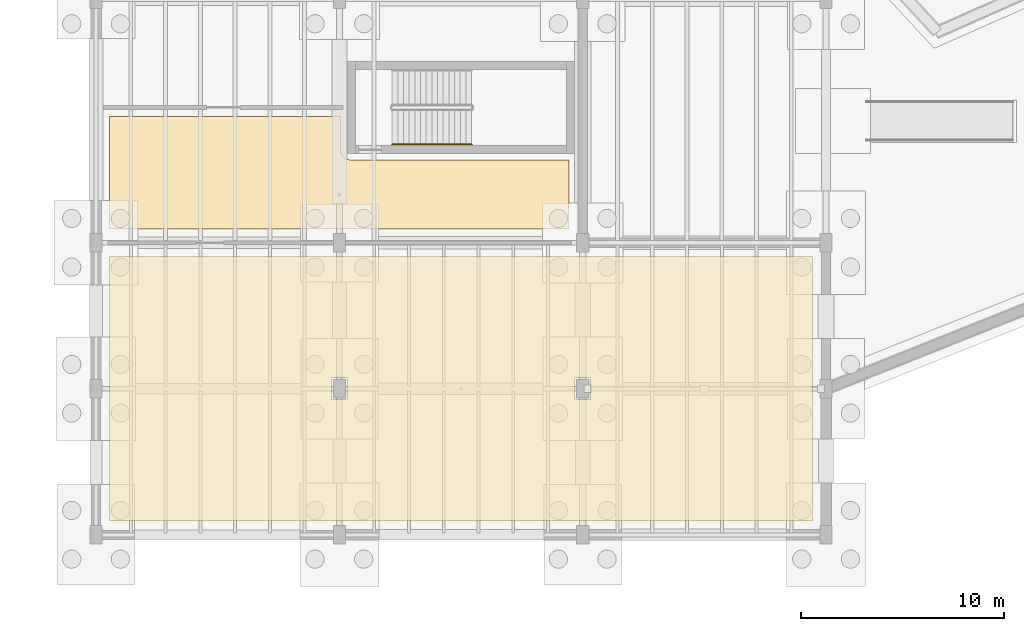
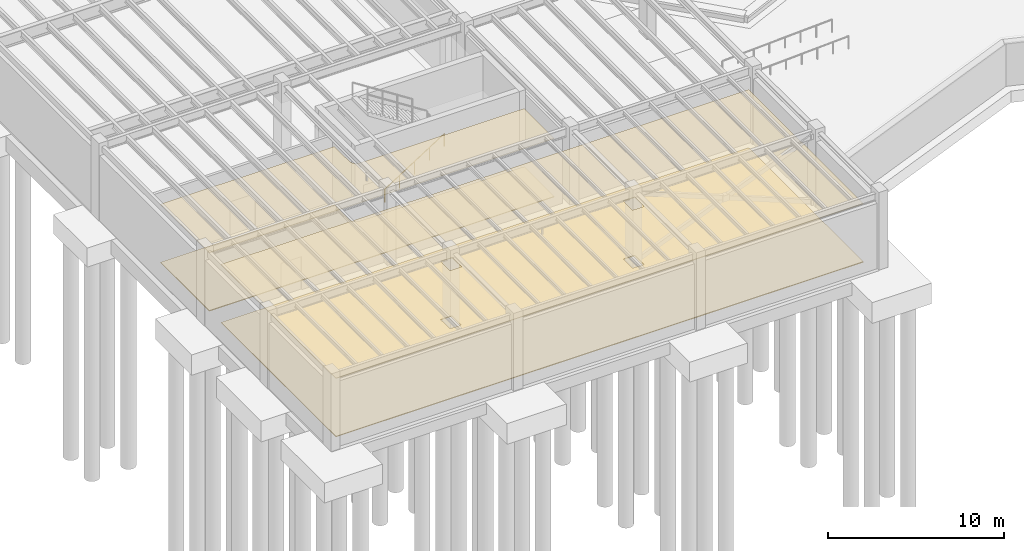
# One storey, part 51 of 67: 4 coverings, 1 railing.
"""IFC4 building model written with IfcOpenShell, lengths in metres."""

from ifc_helpers import new_model, si_unit, direction, frame, origin, origin_2d, place, context, subcontext, project, spatial, polyline, circle, outline, extrude, material, layer, layer_set, type_object, element, save


model = new_model("IFC4")

# Units and contexts
model_context = context("Model", 3, precision=1e-05, world=origin(), true_north=direction((0.0, 1.0)))
body_context = subcontext(model_context, "Body", "Model", "MODEL_VIEW")
ifc_project = project(units=[si_unit("LENGTHUNIT", "METRE"), si_unit("AREAUNIT", "SQUARE_METRE"), si_unit("VOLUMEUNIT", "CUBIC_METRE"), si_unit("PLANEANGLEUNIT", "RADIAN"), si_unit("MASSUNIT", "GRAM", prefix="KILO")], contexts=[model_context])

# Site, building, storey
site_placement = place(None, origin())
site = spatial("IfcSite", under=ifc_project, at=site_placement, CompositionType="ELEMENT")
building_placement = place(site_placement, origin())
building = spatial("IfcBuilding", under=site, at=building_placement, Name="Zlatogorsky Bluff Art Gallery", CompositionType="ELEMENT")
storey_placement = place(building_placement, frame((0.0, 0.0, -5.39990234375)))
storey = spatial("IfcBuildingStorey", under=building, at=storey_placement, Name="B1", CompositionType="ELEMENT", Elevation=-5.39990234375)

# Coverings
ifc_material_1 = material(Name="Perforated Gypsum Acoustic Board", Category="gypsum")
ifc_layer_1 = layer(ifc_material_1, 0.0400390625)
ifc_layer_set_1 = layer_set([ifc_layer_1], Name="Acoustic Gallery Ceiling CLG-01")
covering_type_1 = type_object("IfcCoveringType", Name="Acoustic Gallery Ceiling CLG-01", PredefinedType="CEILING", material=ifc_layer_set_1)
covering_1_placement = place(storey_placement, frame((0.0, 0.0, 4.0498046875)))
element("IfcCovering", 1, at=covering_1_placement, inside=storey, type_object=covering_type_1, Name="Sunken Sculpture Court Pavilion and Workshops acoustic ceiling", PredefinedType="CEILING", context=body_context, shape_type="SweptSolid", body=[
    extrude(outline(polyline([(35.330078125, 13.72998046875), (35.330078125, 0.669921875), (0.669921875, 0.669921875), (0.669921875, 13.72998046875), (35.330078125, 13.72998046875)]), holes=[polyline([(11.6201171875, 6.669921875), (12.3798828125, 6.669921875), (12.3798828125, 7.72998046875), (11.6201171875, 7.72998046875), (11.6201171875, 6.669921875)]), polyline([(23.6201171875, 6.669921875), (24.3798828125, 6.669921875), (24.3798828125, 7.72998046875), (23.6201171875, 7.72998046875), (23.6201171875, 6.669921875)])]), origin(), (0.0, 0.0, 1.0), 0.0400390625),
])
covering_2_placement = place(storey_placement, frame((0.0, 0.0, 4.0498046875)))
element("IfcCovering", 2, at=covering_2_placement, inside=storey, type_object=covering_type_1, Name="Conservation Framing and Crating Studio acoustic ceiling", PredefinedType="CEILING", context=body_context, shape_type="SweptSolid", body=[
    extrude(outline(polyline([(0.669921875, 15.070068359375), (0.669921875, 20.625), (12.090087890625, 20.625), (12.090087890625, 18.948974609375), (12.09228515625, 18.90478515625), (12.0986328125, 18.860595703125), (12.098876953125, 18.859619140625), (12.100830078125, 18.850341796875), (12.10107421875, 18.849609375), (12.113037109375, 18.80615234375), (12.129150390625, 18.764404296875), (12.1298828125, 18.762451171875), (12.147705078125, 18.726806640625), (12.148193359375, 18.725830078125), (12.16796875, 18.693603515625), (12.190185546875, 18.663330078125), (12.19140625, 18.661865234375), (12.224609375, 18.624755859375), (12.26171875, 18.591552734375), (12.26318359375, 18.59033203125), (12.293701171875, 18.568115234375), (12.325927734375, 18.54833984375), (12.326904296875, 18.5478515625), (12.362548828125, 18.530029296875), (12.3642578125, 18.529296875), (12.40625, 18.512939453125), (12.449462890625, 18.501220703125), (12.450439453125, 18.5009765625), (12.459716796875, 18.498779296875), (12.460693359375, 18.498779296875), (12.504638671875, 18.4921875), (12.549072265625, 18.489990234375), (23.330078125, 18.489990234375), (23.330078125, 15.070068359375), (0.669921875, 15.070068359375)])), origin(), (0.0, 0.0, 1.0), 0.0400390625),
])

# Railing
ifc_material_2 = material(Name="Brushed Stainless Steel", Category="steel")
railing_type = type_object("IfcRailingType", Name="Stair Pitch Handrail 900mm", PredefinedType="HANDRAIL", material=ifc_material_2)
railing_placement = place(storey_placement, frame((14.60009765625, 19.25, 0.179931640625)))
element("IfcRailing", 3, at=railing_placement, inside=storey, type_object=railing_type, Name="B1 ST-09 stair handrail 1", PredefinedType="HANDRAIL", context=body_context, shape_type="SweptSolid", body=[
    extrude(circle(Radius=0.02392578125, at=origin_2d()), frame((0.0, 0.0, 0.8759765625), z_axis=(0.841171666519, 0.0, 0.540768182723), x_axis=(0.0, 1.0, 0.0)), (0.0, 0.0, 1.0), 4.66015625),
    extrude(circle(Radius=0.02099609375, at=origin_2d()), origin(), (0.0, 0.0, 1.0), 0.851806640625),
    extrude(circle(Radius=0.02099609375, at=origin_2d()), frame((0.97998046875, 0.0, 0.6298828125)), (0.0, 0.0, 1.0), 0.851806640625),
    extrude(circle(Radius=0.02099609375, at=origin_2d()), frame((1.9599609375, 0.0, 1.260009765625)), (0.0, 0.0, 1.0), 0.851806640625),
    extrude(circle(Radius=0.02099609375, at=origin_2d()), frame((2.93994140625, 0.0, 1.89013671875)), (0.0, 0.0, 1.0), 0.851806640625),
    extrude(circle(Radius=0.02099609375, at=origin_2d()), frame((3.919921875, 0.0, 2.52001953125)), (0.0, 0.0, 1.0), 0.851806640625),
])

# Coverings
ifc_material_3 = material(Name="Polished Ural Marble Terrazzo", Category="masonry")
ifc_layer_2 = layer(ifc_material_3, 0.050048828125)
ifc_layer_set_2 = layer_set([ifc_layer_2], Name="Terrazzo Gallery Flooring FLR-01")
covering_type_2 = type_object("IfcCoveringType", Name="Terrazzo Gallery Flooring FLR-01", PredefinedType="FLOORING", material=ifc_layer_set_2)
covering_3_placement = place(storey_placement, origin())
element("IfcCovering", 4, at=covering_3_placement, inside=storey, type_object=covering_type_2, Name="Sunken Sculpture Court Pavilion and Workshops terrazzo floor finish", PredefinedType="FLOORING", context=body_context, shape_type="SweptSolid", body=[
    extrude(outline(polyline([(35.330078125, 13.72998046875), (35.330078125, 0.669921875), (0.669921875, 0.669921875), (0.669921875, 13.72998046875), (35.330078125, 13.72998046875)]), holes=[polyline([(11.6201171875, 6.669921875), (12.3798828125, 6.669921875), (12.3798828125, 7.72998046875), (11.6201171875, 7.72998046875), (11.6201171875, 6.669921875)]), polyline([(23.6201171875, 6.669921875), (24.3798828125, 6.669921875), (24.3798828125, 7.72998046875), (23.6201171875, 7.72998046875), (23.6201171875, 6.669921875)])]), origin(), (0.0, 0.0, 1.0), 0.0498046875),
])
covering_4_placement = place(storey_placement, origin())
element("IfcCovering", 5, at=covering_4_placement, inside=storey, type_object=covering_type_2, Name="Conservation Framing and Crating Studio terrazzo floor finish", PredefinedType="FLOORING", context=body_context, shape_type="SweptSolid", body=[
    extrude(outline(polyline([(0.669921875, 15.070068359375), (0.669921875, 20.625), (12.090087890625, 20.625), (12.090087890625, 18.948974609375), (12.09228515625, 18.90478515625), (12.0986328125, 18.860595703125), (12.098876953125, 18.859619140625), (12.100830078125, 18.850341796875), (12.10107421875, 18.849609375), (12.113037109375, 18.80615234375), (12.129150390625, 18.764404296875), (12.1298828125, 18.762451171875), (12.147705078125, 18.726806640625), (12.148193359375, 18.725830078125), (12.16796875, 18.693603515625), (12.190185546875, 18.663330078125), (12.19140625, 18.661865234375), (12.224609375, 18.624755859375), (12.26171875, 18.591552734375), (12.26318359375, 18.59033203125), (12.293701171875, 18.568115234375), (12.325927734375, 18.54833984375), (12.326904296875, 18.5478515625), (12.362548828125, 18.530029296875), (12.3642578125, 18.529296875), (12.40625, 18.512939453125), (12.449462890625, 18.501220703125), (12.450439453125, 18.5009765625), (12.459716796875, 18.498779296875), (12.460693359375, 18.498779296875), (12.504638671875, 18.4921875), (12.549072265625, 18.489990234375), (23.330078125, 18.489990234375), (23.330078125, 15.070068359375), (0.669921875, 15.070068359375)])), origin(), (0.0, 0.0, 1.0), 0.0498046875),
])

save(model, "model.ifc")
